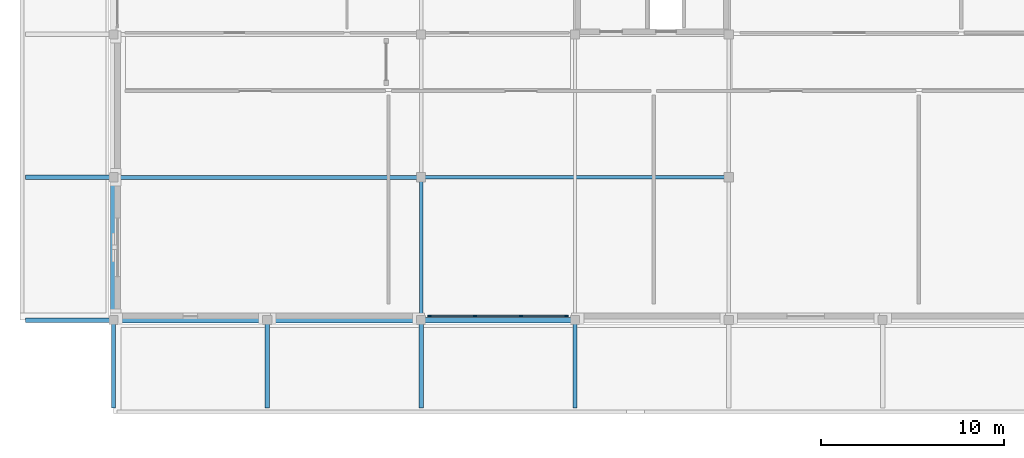
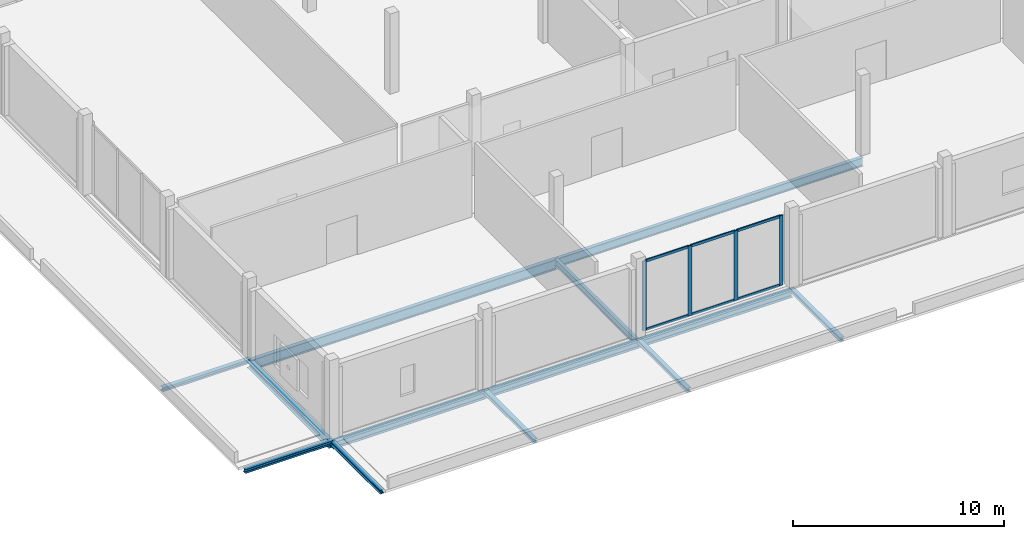
# One storey, part 24 of 98: 13 beams, 10 members, 1 element without a shape of its own.
"""IFC4 building model written with IfcOpenShell, lengths in metres."""

from ifc_helpers import new_model, si_unit, direction, frame, origin, origin_2d, place, context, subcontext, project, spatial, rectangle, i_section, extrude, material, material_profile, profile_set, type_object, element, aggregate, save


model = new_model("IFC4")

# Units and contexts
model_context = context("Model", 3, precision=1e-05, world=origin(), true_north=direction((0.0, 1.0)))
body_context = subcontext(model_context, "Body", "Model", "MODEL_VIEW")
ifc_project = project(units=[si_unit("LENGTHUNIT", "METRE"), si_unit("AREAUNIT", "SQUARE_METRE"), si_unit("VOLUMEUNIT", "CUBIC_METRE"), si_unit("PLANEANGLEUNIT", "RADIAN"), si_unit("MASSUNIT", "GRAM", prefix="KILO")], contexts=[model_context])

# Site, building, storey
site_placement = place(None, origin())
site = spatial("IfcSite", under=ifc_project, at=site_placement, CompositionType="ELEMENT")
building_placement = place(site_placement, origin())
building = spatial("IfcBuilding", under=site, at=building_placement, Name="Nabrawat Pavilion Hospital", CompositionType="ELEMENT")
storey_placement = place(building_placement, frame((0.0, 0.0, 10.199951171875)))
storey = spatial("IfcBuildingStorey", under=building, at=storey_placement, Name="L02", CompositionType="ELEMENT", Elevation=10.199951171875)

# Beams
ifc_material_1 = material(Name="Steel S355", Category="steel")
ifc_material_profile_1 = material_profile(ifc_material_1, i_section(OverallWidth=0.239990234375, OverallDepth=0.22998046875, WebThickness=0.007568359375, FlangeThickness=0.011962890625, FilletRadius=0.02099609375, at=origin_2d()), Name="HEA 240")
ifc_profile_set_1 = profile_set([ifc_material_profile_1], Name="Steel S355")
beam_type_1 = type_object("IfcBeamType", Name="Colonnade and Canopy Tie Beam HEA 240", PredefinedType="BEAM", material=ifc_profile_set_1)
for number, where, z_axis, x_axis, name in (
    (1, (0.0, -4.800048828125, -0.264892578125), (0.0, 1.0, 0.0), (-1.0, 0.0, 0.0), "South Colonnade Cantilever Tie Beam 01"),
    (2, (8.39990234375, -4.800048828125, -0.264892578125), (0.0, 1.0, 0.0), (-1.0, 0.0, 0.0), "South Colonnade Cantilever Tie Beam 02"),
    (3, (16.800048828125, -4.800048828125, -0.264892578125), (0.0, 1.0, 0.0), (-1.0, 0.0, 0.0), "South Colonnade Cantilever Tie Beam 03"),
    (4, (25.199951171875, -4.800048828125, -0.264892578125), (0.0, 1.0, 0.0), (-1.0, 0.0, 0.0), "South Colonnade Cantilever Tie Beam 04"),
    (5, (-4.800048828125, 0.0, -0.264892578125), (1.0, 0.0, 0.0), (0.0, 1.0, 0.0), "Ambulance Canopy Tie Beam 01"),
    (6, (-4.800048828125, 7.800048828125, -0.264892578125), (1.0, 0.0, 0.0), (0.0, 1.0, 0.0), "Ambulance Canopy Tie Beam 02"),
):
    element("IfcBeam", number, at=place(storey_placement, frame(where, z_axis=z_axis, x_axis=x_axis)), inside=storey, type_object=beam_type_1, Name=name, PredefinedType="BEAM", context=body_context, shape_type="SweptSolid", body=[
        extrude(i_section(OverallWidth=0.239990234375, OverallDepth=0.22998046875, WebThickness=0.007568359375, FlangeThickness=0.011962890625, FilletRadius=0.02099609375, at=origin_2d()), origin(), (0.0, 0.0, 1.0), 4.800048828125),
    ])

# Curtain wall, members
ifc_material_2 = material(Name="Anodised Aluminium", Category="aluminium")
curtain_wall_type = type_object("IfcCurtainWallType", Name="Emergency Concourse Glazed Screen", PredefinedType="USERDEFINED", material=ifc_material_2)
curtain_wall_placement = place(storey_placement, origin())
curtain_wall = element("IfcCurtainWall", 7, at=curtain_wall_placement, inside=storey, type_object=curtain_wall_type, Name="L02 Emergency Concourse Glazed Screen 096", ObjectType="CURTAIN WALL", PredefinedType="USERDEFINED")
ifc_material_profile_2 = material_profile(ifc_material_2, rectangle(XDim=0.070068359375, YDim=0.199951171875, at=origin_2d()), Name="CWM 70x200")
ifc_profile_set_2 = profile_set([ifc_material_profile_2], Name="Anodised Aluminium")
member_type_1 = type_object("IfcMemberType", Name="Emergency Concourse Glazed Screen Mullion CWM 70x200", PredefinedType="MULLION", material=ifc_profile_set_2)
member_1_placement = place(storey_placement, frame((17.2548828125, 0.219970703125, 0.0), z_axis=(0.0, 0.0, 1.0), x_axis=(0.0, 1.0, 0.0)))
member_1 = element("IfcMember", 8, at=member_1_placement, type_object=member_type_1, Name="CW-ED-01 mullion 1", PredefinedType="MULLION", context=body_context, shape_type="SweptSolid", body=[
    extrude(rectangle(XDim=0.070068359375, YDim=0.199951171875, at=origin_2d()), origin(), (0.0, 0.0, 1.0), 4.0400390625),
])
member_2_placement = place(storey_placement, frame((19.739990234375, 0.219970703125, 0.0), z_axis=(0.0, 0.0, 1.0), x_axis=(0.0, 1.0, 0.0)))
member_2 = element("IfcMember", 9, at=member_2_placement, type_object=member_type_1, Name="CW-ED-01 mullion 2", PredefinedType="MULLION", context=body_context, shape_type="SweptSolid", body=[
    extrude(rectangle(XDim=0.070068359375, YDim=0.199951171875, at=origin_2d()), origin(), (0.0, 0.0, 1.0), 4.0400390625),
])
member_3_placement = place(storey_placement, frame((22.260009765625, 0.219970703125, 0.0), z_axis=(0.0, 0.0, 1.0), x_axis=(0.0, 1.0, 0.0)))
member_3 = element("IfcMember", 10, at=member_3_placement, type_object=member_type_1, Name="CW-ED-01 mullion 3", PredefinedType="MULLION", context=body_context, shape_type="SweptSolid", body=[
    extrude(rectangle(XDim=0.070068359375, YDim=0.199951171875, at=origin_2d()), origin(), (0.0, 0.0, 1.0), 4.0400390625),
])
member_4_placement = place(storey_placement, frame((24.7451171875, 0.219970703125, 0.0), z_axis=(0.0, 0.0, 1.0), x_axis=(0.0, 1.0, 0.0)))
member_4 = element("IfcMember", 11, at=member_4_placement, type_object=member_type_1, Name="CW-ED-01 mullion 4", PredefinedType="MULLION", context=body_context, shape_type="SweptSolid", body=[
    extrude(rectangle(XDim=0.070068359375, YDim=0.199951171875, at=origin_2d()), origin(), (0.0, 0.0, 1.0), 4.0400390625),
])
ifc_material_profile_3 = material_profile(ifc_material_2, rectangle(XDim=0.070068359375, YDim=0.14990234375, at=origin_2d()), Name="CWT 70x150")
ifc_profile_set_3 = profile_set([ifc_material_profile_3], Name="Anodised Aluminium")
member_type_2 = type_object("IfcMemberType", Name="Emergency Concourse Glazed Screen Transom CWT 70x150", PredefinedType="USERDEFINED", material=ifc_profile_set_3)
member_5_placement = place(storey_placement, frame((17.2900390625, 0.219970703125, 0.03515625), z_axis=(1.0, 0.0, 0.0), x_axis=(0.0, 1.0, 0.0)))
member_5 = element("IfcMember", 12, at=member_5_placement, type_object=member_type_2, Name="CW-ED-01 transom 1.1", ObjectType="TRANSOM", PredefinedType="USERDEFINED", context=body_context, shape_type="SweptSolid", body=[
    extrude(rectangle(XDim=0.070068359375, YDim=0.14990234375, at=origin_2d()), origin(), (0.0, 0.0, 1.0), 2.4150390625),
])
member_6_placement = place(storey_placement, frame((17.2900390625, 0.219970703125, 4.005126953125), z_axis=(1.0, 0.0, 0.0), x_axis=(0.0, 1.0, 0.0)))
member_6 = element("IfcMember", 13, at=member_6_placement, type_object=member_type_2, Name="CW-ED-01 transom 1.2", ObjectType="TRANSOM", PredefinedType="USERDEFINED", context=body_context, shape_type="SweptSolid", body=[
    extrude(rectangle(XDim=0.070068359375, YDim=0.14990234375, at=origin_2d()), origin(), (0.0, 0.0, 1.0), 2.4150390625),
])
member_7_placement = place(storey_placement, frame((19.77490234375, 0.219970703125, 0.03515625), z_axis=(1.0, 0.0, 0.0), x_axis=(0.0, 1.0, 0.0)))
member_7 = element("IfcMember", 14, at=member_7_placement, type_object=member_type_2, Name="CW-ED-01 transom 2.1", ObjectType="TRANSOM", PredefinedType="USERDEFINED", context=body_context, shape_type="SweptSolid", body=[
    extrude(rectangle(XDim=0.070068359375, YDim=0.14990234375, at=origin_2d()), origin(), (0.0, 0.0, 1.0), 2.4501953125),
])
member_8_placement = place(storey_placement, frame((19.77490234375, 0.219970703125, 4.005126953125), z_axis=(1.0, 0.0, 0.0), x_axis=(0.0, 1.0, 0.0)))
member_8 = element("IfcMember", 15, at=member_8_placement, type_object=member_type_2, Name="CW-ED-01 transom 2.2", ObjectType="TRANSOM", PredefinedType="USERDEFINED", context=body_context, shape_type="SweptSolid", body=[
    extrude(rectangle(XDim=0.070068359375, YDim=0.14990234375, at=origin_2d()), origin(), (0.0, 0.0, 1.0), 2.4501953125),
])
member_9_placement = place(storey_placement, frame((22.294921875, 0.219970703125, 0.03515625), z_axis=(1.0, 0.0, 0.0), x_axis=(0.0, 1.0, 0.0)))
member_9 = element("IfcMember", 16, at=member_9_placement, type_object=member_type_2, Name="CW-ED-01 transom 3.1", ObjectType="TRANSOM", PredefinedType="USERDEFINED", context=body_context, shape_type="SweptSolid", body=[
    extrude(rectangle(XDim=0.070068359375, YDim=0.14990234375, at=origin_2d()), origin(), (0.0, 0.0, 1.0), 2.4150390625),
])
member_10_placement = place(storey_placement, frame((22.294921875, 0.219970703125, 4.005126953125), z_axis=(1.0, 0.0, 0.0), x_axis=(0.0, 1.0, 0.0)))
member_10 = element("IfcMember", 17, at=member_10_placement, type_object=member_type_2, Name="CW-ED-01 transom 3.2", ObjectType="TRANSOM", PredefinedType="USERDEFINED", context=body_context, shape_type="SweptSolid", body=[
    extrude(rectangle(XDim=0.070068359375, YDim=0.14990234375, at=origin_2d()), origin(), (0.0, 0.0, 1.0), 2.4150390625),
])
aggregate(curtain_wall, [member_1, member_2, member_3, member_4, member_5, member_6, member_7, member_8, member_9, member_10])

# Beams
ifc_material_profile_4 = material_profile(ifc_material_1, i_section(OverallWidth=0.300048828125, OverallDepth=0.389892578125, WebThickness=0.010986328125, FlangeThickness=0.01904296875, FilletRadius=0.027099609375, at=origin_2d()), Name="HEA 400")
ifc_profile_set_4 = profile_set([ifc_material_profile_4], Name="Steel S355")
beam_type_2 = type_object("IfcBeamType", Name="Perimeter Moment Spandrel Beam HEA 400", PredefinedType="SPANDREL", material=ifc_profile_set_4)
beam_1_placement = place(storey_placement, frame((0.02001953125, 0.0, -0.445068359375), z_axis=(1.0, 0.0, 0.0), x_axis=(0.0, 1.0, 0.0)))
element("IfcBeam", 18, at=beam_1_placement, inside=storey, type_object=beam_type_2, Name="L02 Primary X Girder 927", PredefinedType="SPANDREL", context=body_context, shape_type="SweptSolid", body=[
    extrude(i_section(OverallWidth=0.300048828125, OverallDepth=0.389892578125, WebThickness=0.010986328125, FlangeThickness=0.01904296875, FilletRadius=0.027099609375, at=origin_2d()), origin(), (0.0, 0.0, 1.0), 8.35986328125),
])
beam_2_placement = place(storey_placement, frame((8.419921875, 0.0, -0.445068359375), z_axis=(1.0, 0.0, 0.0), x_axis=(0.0, 1.0, 0.0)))
element("IfcBeam", 19, at=beam_2_placement, inside=storey, type_object=beam_type_2, Name="L02 Primary X Girder 928", PredefinedType="SPANDREL", context=body_context, shape_type="SweptSolid", body=[
    extrude(i_section(OverallWidth=0.300048828125, OverallDepth=0.389892578125, WebThickness=0.010986328125, FlangeThickness=0.01904296875, FilletRadius=0.027099609375, at=origin_2d()), origin(), (0.0, 0.0, 1.0), 8.360107421875),
])
beam_3_placement = place(storey_placement, frame((16.820068359375, 0.0, -0.445068359375), z_axis=(1.0, 0.0, 0.0), x_axis=(0.0, 1.0, 0.0)))
element("IfcBeam", 20, at=beam_3_placement, inside=storey, type_object=beam_type_2, Name="L02 Primary X Girder 929", PredefinedType="SPANDREL", context=body_context, shape_type="SweptSolid", body=[
    extrude(i_section(OverallWidth=0.300048828125, OverallDepth=0.389892578125, WebThickness=0.010986328125, FlangeThickness=0.01904296875, FilletRadius=0.027099609375, at=origin_2d()), origin(), (0.0, 0.0, 1.0), 8.35986328125),
])
beam_4_placement = place(storey_placement, frame((0.0, 0.02001953125, -0.445068359375), z_axis=(0.0, 1.0, 0.0), x_axis=(-1.0, 0.0, 0.0)))
element("IfcBeam", 21, at=beam_4_placement, inside=storey, type_object=beam_type_2, Name="L02 Primary Y Beam 1172", PredefinedType="SPANDREL", context=body_context, shape_type="SweptSolid", body=[
    extrude(i_section(OverallWidth=0.300048828125, OverallDepth=0.389892578125, WebThickness=0.010986328125, FlangeThickness=0.01904296875, FilletRadius=0.027099609375, at=origin_2d()), origin(), (0.0, 0.0, 1.0), 7.760009765625),
])
ifc_material_profile_5 = material_profile(ifc_material_1, i_section(OverallWidth=0.199951171875, OverallDepth=0.5, WebThickness=0.01025390625, FlangeThickness=0.01611328125, FilletRadius=0.02099609375, at=origin_2d()), Name="IPE 500")
ifc_profile_set_5 = profile_set([ifc_material_profile_5], Name="Steel S355")
beam_type_3 = type_object("IfcBeamType", Name="Standard X Floor Girder IPE 500", PredefinedType="USERDEFINED", material=ifc_profile_set_5)
beam_5_placement = place(storey_placement, frame((16.820068359375, 7.800048828125, -0.5), z_axis=(1.0, 0.0, 0.0), x_axis=(0.0, 1.0, 0.0)))
element("IfcBeam", 22, at=beam_5_placement, inside=storey, type_object=beam_type_3, Name="L02 Primary X Girder 943", ObjectType="GIRDER", PredefinedType="USERDEFINED", context=body_context, shape_type="SweptSolid", body=[
    extrude(i_section(OverallWidth=0.199951171875, OverallDepth=0.5, WebThickness=0.01025390625, FlangeThickness=0.01611328125, FilletRadius=0.02099609375, at=origin_2d()), origin(), (0.0, 0.0, 1.0), 16.760009765625),
])
ifc_material_profile_6 = material_profile(ifc_material_1, i_section(OverallWidth=0.179931640625, OverallDepth=0.39990234375, WebThickness=0.008544921875, FlangeThickness=0.013427734375, FilletRadius=0.02099609375, at=origin_2d()), Name="IPE 400")
ifc_profile_set_6 = profile_set([ifc_material_profile_6], Name="Steel S355")
beam_type_4 = type_object("IfcBeamType", Name="Standard Y Floor Beam IPE 400", PredefinedType="BEAM", material=ifc_profile_set_6)
beam_6_placement = place(storey_placement, frame((16.800048828125, 0.02001953125, -0.449951171875), z_axis=(0.0, 1.0, 0.0), x_axis=(-1.0, 0.0, 0.0)))
element("IfcBeam", 23, at=beam_6_placement, inside=storey, type_object=beam_type_4, Name="L02 Primary Y Beam 1187", PredefinedType="BEAM", context=body_context, shape_type="SweptSolid", body=[
    extrude(i_section(OverallWidth=0.179931640625, OverallDepth=0.39990234375, WebThickness=0.008544921875, FlangeThickness=0.013427734375, FilletRadius=0.02099609375, at=origin_2d()), origin(), (0.0, 0.0, 1.0), 7.760009765625),
])
ifc_material_profile_7 = material_profile(ifc_material_1, i_section(OverallWidth=0.219970703125, OverallDepth=0.60009765625, WebThickness=0.011962890625, FlangeThickness=0.01904296875, FilletRadius=0.02392578125, at=origin_2d()), Name="IPE 600")
ifc_profile_set_7 = profile_set([ifc_material_profile_7], Name="Steel S355")
beam_type_5 = type_object("IfcBeamType", Name="Wide-Bay Floor Girder IPE 600", PredefinedType="USERDEFINED", material=ifc_profile_set_7)
beam_7_placement = place(storey_placement, frame((0.02001953125, 7.800048828125, -0.550048828125), z_axis=(1.0, 0.0, 0.0), x_axis=(0.0, 1.0, 0.0)))
element("IfcBeam", 24, at=beam_7_placement, inside=storey, type_object=beam_type_5, Name="L02 Primary X Girder 942", ObjectType="GIRDER", PredefinedType="USERDEFINED", context=body_context, shape_type="SweptSolid", body=[
    extrude(i_section(OverallWidth=0.219970703125, OverallDepth=0.60009765625, WebThickness=0.011962890625, FlangeThickness=0.01904296875, FilletRadius=0.02392578125, at=origin_2d()), origin(), (0.0, 0.0, 1.0), 16.760009765625),
])

save(model, "model.ifc")
